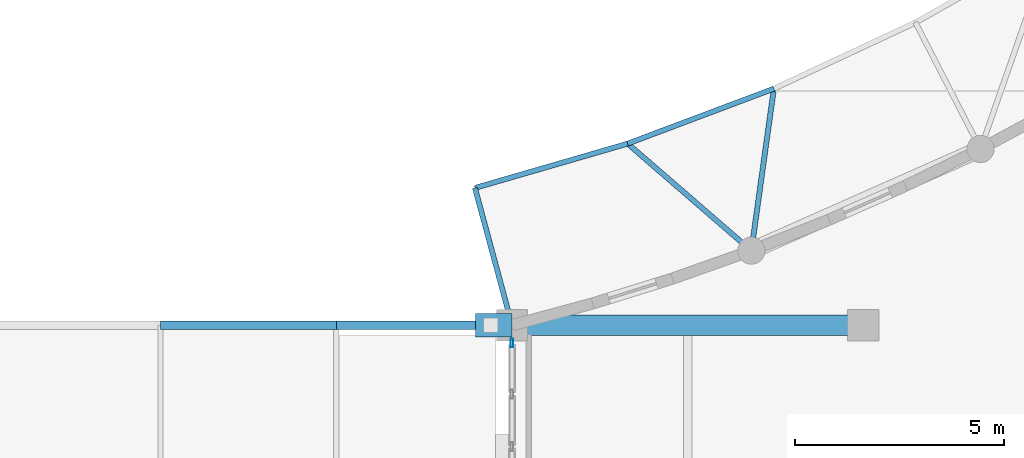
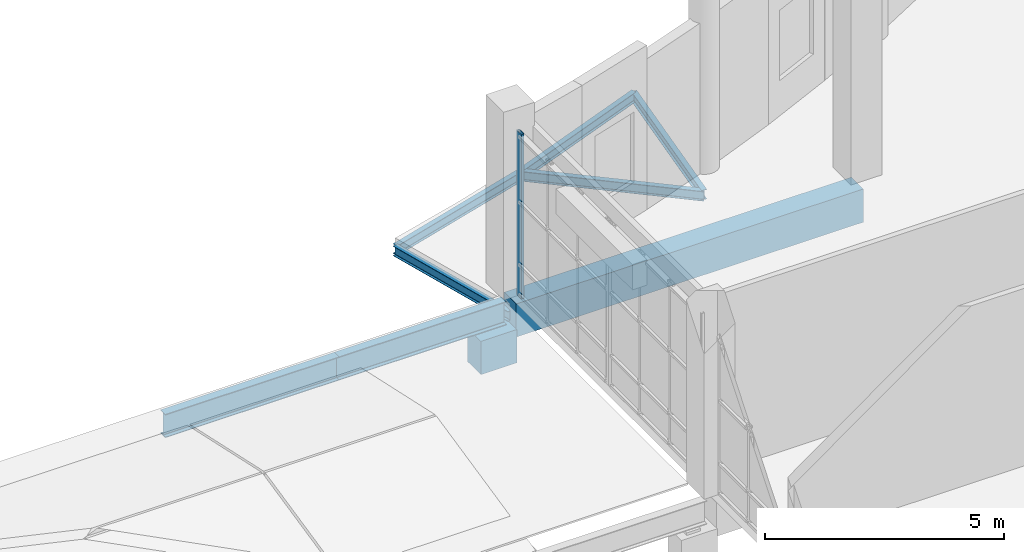
# One storey, part 22 of 106: 9 beams, 1 member, 1 element without a shape of its own.
"""IFC4 building model written with IfcOpenShell, lengths in metres."""

from ifc_helpers import new_model, si_unit, direction, frame, origin, origin_2d, place, context, subcontext, project, spatial, rectangle, hollow_rectangle, i_section, extrude, material, layer, layer_set, material_profile, profile_set, type_object, element, aggregate, save


model = new_model("IFC4")

# Units and contexts
model_context = context("Model", 3, precision=1e-05, world=origin(), true_north=direction((0.0, 1.0)))
body_context = subcontext(model_context, "Body", "Model", "MODEL_VIEW")
ifc_project = project(units=[si_unit("LENGTHUNIT", "METRE"), si_unit("AREAUNIT", "SQUARE_METRE"), si_unit("VOLUMEUNIT", "CUBIC_METRE"), si_unit("PLANEANGLEUNIT", "RADIAN"), si_unit("MASSUNIT", "GRAM", prefix="KILO")], contexts=[model_context])

# Site, building, storey
site_placement = place(None, origin())
site = spatial("IfcSite", under=ifc_project, at=site_placement, CompositionType="ELEMENT")
building_placement = place(site_placement, origin())
building = spatial("IfcBuilding", under=site, at=building_placement, Name="Kisaragi Civic Commons", CompositionType="ELEMENT")
storey_placement = place(building_placement, frame((0.0, 0.0, 4.800048828125)))
storey = spatial("IfcBuildingStorey", under=building, at=storey_placement, Name="L01", CompositionType="ELEMENT", Elevation=4.800048828125)

# Beam
ifc_material_1 = material(Name="Concrete Fc36", Category="concrete")
ifc_material_profile_1 = material_profile(ifc_material_1, rectangle(XDim=0.550048828125, YDim=0.85009765625, at=origin_2d()), Name="RC-550x850", Category="concrete")
ifc_profile_set_1 = profile_set([ifc_material_profile_1], Name="Concrete Fc36")
beam_type_1 = type_object("IfcBeamType", Name="CB-01", PredefinedType="BEAM", material=ifc_profile_set_1)
beam_1_placement = place(storey_placement, frame((105.60009765625, 16.800048828125, -1.3701171875), z_axis=(-1.0, 0.0, 0.0), x_axis=(0.0, -1.0, 0.0)))
element("IfcBeam", 1, at=beam_1_placement, inside=storey, type_object=beam_type_1, Name="BR-V1-V3 L01 seismic corbel 223", PredefinedType="BEAM", context=body_context, shape_type="SweptSolid", body=[
    extrude(rectangle(XDim=0.550048828125, YDim=0.85009765625, at=origin_2d()), origin(), (0.0, 0.0, 1.0), 0.8701171875),
])

# Curtain wall, member
ifc_material_2 = material(Name="Thermally broken anodized aluminium and low-E double glazing", Category="aluminium")
ifc_layer = layer(ifc_material_2, 0.2099609375, Name="Thermally broken anodized aluminium and low-E double glazing", Category="aluminium")
ifc_layer_set = layer_set([ifc_layer], Name="Thermally broken anodized aluminium and low-E double glazing")
curtain_wall_type = type_object("IfcCurtainWallType", Name="CW-02", PredefinedType="NOTDEFINED", material=ifc_layer_set)
curtain_wall_placement = place(storey_placement, origin())
curtain_wall = element("IfcCurtainWall", 2, at=curtain_wall_placement, inside=storey, type_object=curtain_wall_type, Name="L01 curtain wall CW-02 CW-V3-L01-038", PredefinedType="NOTDEFINED")
ifc_material_profile_2 = material_profile(ifc_material_2, hollow_rectangle(XDim=0.070068359375, YDim=0.2099609375, WallThickness=0.0048828125, InnerFilletRadius=0.0048828125, OuterFilletRadius=0.010009765625, at=origin_2d()), Name="CWM-70x210x5", Category="aluminium")
ifc_profile_set_2 = profile_set([ifc_material_profile_2], Name="Thermally broken anodized aluminium and low-E double glazing")
member_type = type_object("IfcMemberType", Name="CWM-03", PredefinedType="MULLION", material=ifc_profile_set_2)
member_placement = place(storey_placement, frame((105.60009765625, 16.375, 0.0), z_axis=(0.0, 0.0, 1.0), x_axis=(-1.0, 0.0, 0.0)))
member = element("IfcMember", 3, at=member_placement, type_object=member_type, Name="CW-02 mullion 4", PredefinedType="MULLION", context=body_context, shape_type="SweptSolid", body=[
    extrude(hollow_rectangle(XDim=0.070068359375, YDim=0.2099609375, WallThickness=0.0048828125, InnerFilletRadius=0.0048828125, OuterFilletRadius=0.010009765625, at=origin_2d()), origin(), (0.0, 0.0, 1.0), 4.204833984375),
])
aggregate(curtain_wall, [member])

# Beams
ifc_material_3 = material(Name="Concrete Fc30", Category="concrete")
ifc_material_profile_3 = material_profile(ifc_material_3, rectangle(XDim=0.5, YDim=0.85009765625, at=origin_2d()), Name="RC-500x850", Category="concrete")
ifc_profile_set_3 = profile_set([ifc_material_profile_3], Name="Concrete Fc30")
beam_type_2 = type_object("IfcBeamType", Name="G-02", PredefinedType="BEAM", material=ifc_profile_set_3)
beam_2_placement = place(storey_placement, frame((105.60009765625, 16.800048828125, -0.72998046875), z_axis=(1.0, 0.0, 0.0), x_axis=(0.0, 1.0, 0.0)))
element("IfcBeam", 4, at=beam_2_placement, inside=storey, type_object=beam_type_2, Name="L01 girder G-02 210", PredefinedType="BEAM", context=body_context, shape_type="SweptSolid", body=[
    extrude(rectangle(XDim=0.5, YDim=0.85009765625, at=origin_2d()), origin(), (0.0, 0.0, 1.0), 8.39990234375),
])
ifc_material_4 = material(Name="Steel SN490 (SN490B)", Category="steel")
ifc_material_profile_4 = material_profile(ifc_material_4, i_section(OverallWidth=0.199951171875, OverallDepth=0.60009765625, WebThickness=0.010986328125, FlangeThickness=0.01708984375, FilletRadius=0.012939453125, at=origin_2d()), Name="H-600x200x11x17", Category="steel")
ifc_profile_set_4 = profile_set([ifc_material_profile_4], Name="Steel SN490 (SN490B)")
beam_type_3 = type_object("IfcBeamType", Name="G-10", PredefinedType="BEAM", material=ifc_profile_set_4)
beam_3_placement = place(storey_placement, frame((97.199951171875, 16.800048828125, -0.580078125), z_axis=(1.0, 0.0, 0.0), x_axis=(0.0, 1.0, 0.0)))
element("IfcBeam", 5, at=beam_3_placement, inside=storey, type_object=beam_type_3, Name="BR-V1-V3 L01 bridge girder 221", PredefinedType="BEAM", context=body_context, shape_type="SweptSolid", body=[
    extrude(i_section(OverallWidth=0.199951171875, OverallDepth=0.60009765625, WebThickness=0.010986328125, FlangeThickness=0.01708984375, FilletRadius=0.012939453125, at=origin_2d()), origin(), (0.0, 0.0, 1.0), 4.199951171875),
])
beam_4_placement = place(storey_placement, frame((101.39990234375, 16.800048828125, -0.580078125), z_axis=(1.0, 0.0, 0.0), x_axis=(0.0, 1.0, 0.0)))
element("IfcBeam", 6, at=beam_4_placement, inside=storey, type_object=beam_type_3, Name="BR-V1-V3 L01 bridge girder 222", PredefinedType="BEAM", context=body_context, shape_type="SweptSolid", body=[
    extrude(i_section(OverallWidth=0.199951171875, OverallDepth=0.60009765625, WebThickness=0.010986328125, FlangeThickness=0.01708984375, FilletRadius=0.012939453125, at=origin_2d()), origin(), (0.0, 0.0, 1.0), 4.050048828125),
])
ifc_material_5 = material(Name="Steel SN400 (SN400B)", Category="steel")
ifc_material_profile_5 = material_profile(ifc_material_5, i_section(OverallWidth=0.125, OverallDepth=0.25, WebThickness=0.006103515625, FlangeThickness=0.009033203125, FilletRadius=0.008056640625, at=origin_2d()), Name="H-250x125x6x9", Category="steel")
ifc_profile_set_5 = profile_set([ifc_material_profile_5], Name="Steel SN400 (SN400B)")
beam_type_4 = type_object("IfcBeamType", Name="J-05", PredefinedType="JOIST", material=ifc_profile_set_5)
beam_5_placement = place(storey_placement, frame((104.7138671875, 20.08251953125, -0.75), z_axis=(0.960381177226, 0.278689781712, 0.0), x_axis=(-0.278689781712, 0.960381177226, 0.0)))
element("IfcBeam", 7, at=beam_5_placement, inside=storey, type_object=beam_type_4, Name="VER-V3 L01 edge beam 88", PredefinedType="JOIST", context=body_context, shape_type="SweptSolid", body=[
    extrude(i_section(OverallWidth=0.125, OverallDepth=0.25, WebThickness=0.006103515625, FlangeThickness=0.009033203125, FilletRadius=0.008056640625, at=origin_2d()), origin(), (0.0, 0.0, 1.0), 3.80029296875),
])
beam_6_placement = place(storey_placement, frame((108.363525390625, 21.1416015625, -0.75), z_axis=(0.936006442078, 0.351982869454, 0.0), x_axis=(-0.351982869454, 0.936006442078, 0.0)))
element("IfcBeam", 8, at=beam_6_placement, inside=storey, type_object=beam_type_4, Name="VER-V3 L01 edge beam 89", PredefinedType="JOIST", context=body_context, shape_type="SweptSolid", body=[
    extrude(i_section(OverallWidth=0.125, OverallDepth=0.25, WebThickness=0.006103515625, FlangeThickness=0.009033203125, FilletRadius=0.008056640625, at=origin_2d()), origin(), (0.0, 0.0, 1.0), 3.735107421875),
])
beam_7_placement = place(storey_placement, frame((104.7138671875, 20.08251953125, -0.75), z_axis=(0.260655813222, -0.965431793051, 0.0), x_axis=(0.965431793051, 0.260655813222, 0.0)))
element("IfcBeam", 9, at=beam_7_placement, inside=storey, type_object=beam_type_4, Name="VER-V3 L01 radial tie 93", PredefinedType="JOIST", context=body_context, shape_type="SweptSolid", body=[
    extrude(i_section(OverallWidth=0.125, OverallDepth=0.25, WebThickness=0.006103515625, FlangeThickness=0.009033203125, FilletRadius=0.008056640625, at=origin_2d()), origin(), (0.0, 0.0, 1.0), 3.39990234375),
])
beam_8_placement = place(storey_placement, frame((108.363525390625, 21.1416015625, -0.75), z_axis=(0.756296385518, -0.654229147357, 0.0), x_axis=(0.654229147357, 0.756296385518, 0.0)))
element("IfcBeam", 10, at=beam_8_placement, inside=storey, type_object=beam_type_4, Name="VER-V3 L01 radial tie 94", PredefinedType="JOIST", context=body_context, shape_type="SweptSolid", body=[
    extrude(i_section(OverallWidth=0.125, OverallDepth=0.25, WebThickness=0.006103515625, FlangeThickness=0.009033203125, FilletRadius=0.008056640625, at=origin_2d()), origin(), (0.0, 0.0, 1.0), 3.910888671875),
])
beam_9_placement = place(storey_placement, frame((111.859619140625, 22.456298828125, -0.75), z_axis=(-0.137661947353, -0.990479271995, 0.0), x_axis=(0.990479271995, -0.137661947353, 0.0)))
element("IfcBeam", 11, at=beam_9_placement, inside=storey, type_object=beam_type_4, Name="VER-V3 L01 radial tie 95", PredefinedType="JOIST", context=body_context, shape_type="SweptSolid", body=[
    extrude(i_section(OverallWidth=0.125, OverallDepth=0.25, WebThickness=0.006103515625, FlangeThickness=0.009033203125, FilletRadius=0.008056640625, at=origin_2d()), origin(), (0.0, 0.0, 1.0), 3.910400390625),
])

save(model, "model.ifc")
